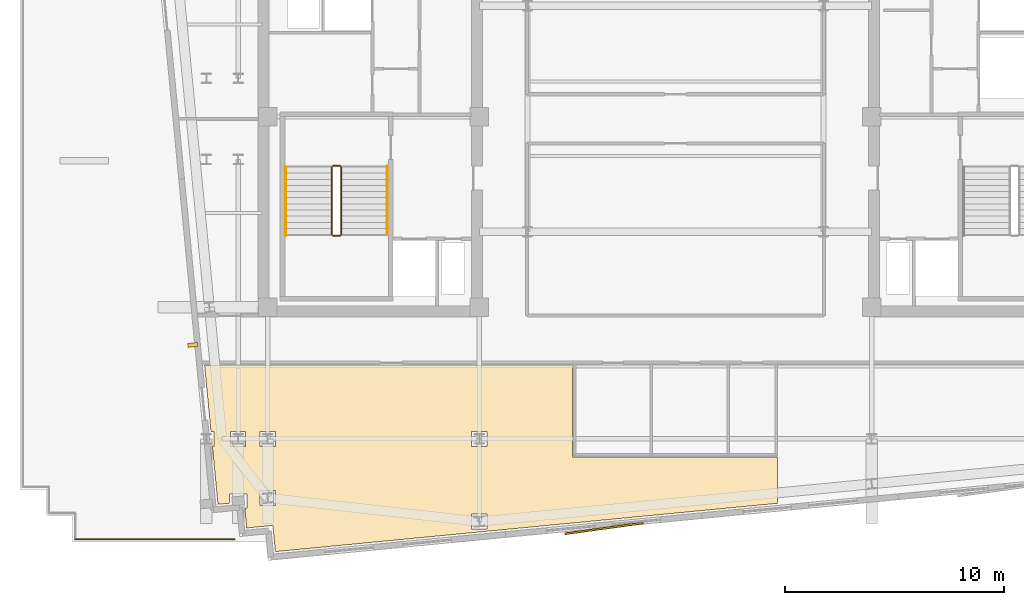
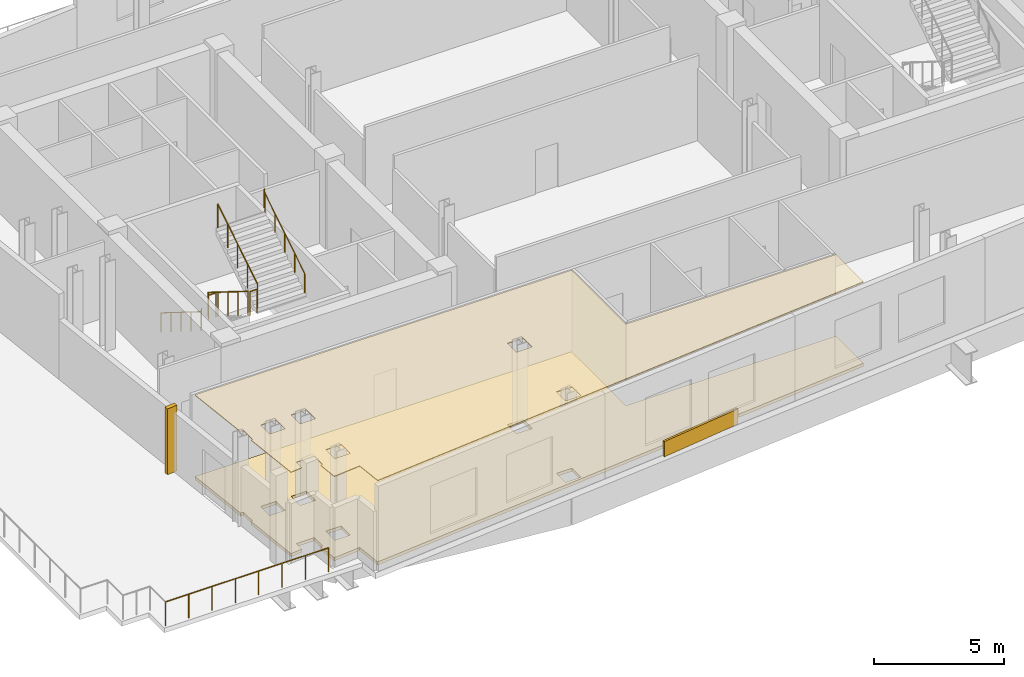
# One storey, part 9 of 11: 7 railings, 3 coverings, 1 shading device.
"""IFC4 building model written with IfcOpenShell, lengths in metres."""

from ifc_helpers import new_model, si_unit, direction, frame, origin, origin_2d, place, context, subcontext, project, spatial, polyline, rectangle, circle, outline, extrude, material, layer, layer_set, type_object, element, save


model = new_model("IFC4")

# Units and contexts
model_context = context("Model", 3, precision=1e-05, world=origin(), true_north=direction((0.0, 1.0)))
body_context = subcontext(model_context, "Body", "Model", "MODEL_VIEW")
ifc_project = project(units=[si_unit("LENGTHUNIT", "METRE"), si_unit("AREAUNIT", "SQUARE_METRE"), si_unit("VOLUMEUNIT", "CUBIC_METRE"), si_unit("PLANEANGLEUNIT", "RADIAN"), si_unit("MASSUNIT", "GRAM", prefix="KILO")], contexts=[model_context])

# Site, building, storey
site_placement = place(None, origin())
site = spatial("IfcSite", under=ifc_project, at=site_placement, CompositionType="ELEMENT")
building_placement = place(site_placement, origin())
building = spatial("IfcBuilding", under=site, at=building_placement, Name="Velakula Bourse", CompositionType="ELEMENT")
storey_placement = place(building_placement, frame((0.0, 0.0, 247.5)))
storey = spatial("IfcBuildingStorey", under=building, at=storey_placement, Name="L67", CompositionType="ELEMENT", Elevation=247.5)

# Coverings
ifc_material_1 = material(Name="Buff kilned clay facing brick masonry", Category="masonry")
ifc_layer_1 = layer(ifc_material_1, 0.074951171875, Name="Buff kilned clay facing brick masonry", Category="masonry")
ifc_layer_set_1 = layer_set([ifc_layer_1], Name="Buff kilned clay facing brick masonry")
covering_type_1 = type_object("IfcCoveringType", Name="COV-BRK-SPN-75", PredefinedType="CLADDING", material=ifc_layer_set_1)
covering_1_placement = place(storey_placement, frame((-3.26220703125, -18.68115234375, 0.0), z_axis=(0.0, 0.0, 1.0), x_axis=(0.990629029058, 0.136580111242, 0.0)))
element("IfcCovering", 1, at=covering_1_placement, inside=storey, type_object=covering_type_1, Name="L67 Folded Brick Facade Cladding Panel S-B2", PredefinedType="CLADDING", context=body_context, shape_type="SweptSolid", body=[
    extrude(rectangle(XDim=3.60009765625, YDim=0.090087890625, at=origin_2d()), origin(), (0.0, 0.0, 1.0), 0.719970703125),
])
ifc_material_2 = material(Name="Mineral-fibre acoustic suspended ceiling tile", Category="mineral")
ifc_layer_2 = layer(ifc_material_2, 0.0400390625, Name="Mineral-fibre acoustic suspended ceiling tile", Category="mineral")
ifc_layer_set_2 = layer_set([ifc_layer_2], Name="Mineral-fibre acoustic suspended ceiling tile")
covering_type_2 = type_object("IfcCoveringType", Name="COV-CEIL-AC-40", PredefinedType="CEILING", material=ifc_layer_set_2)
covering_2_placement = place(storey_placement, frame((0.0, 0.0, 3.949951171875)))
element("IfcCovering", 2, at=covering_2_placement, inside=storey, type_object=covering_type_2, Name="L67 Breakout Dining Lounge Acoustic Suspended Ceiling", PredefinedType="CEILING", context=body_context, shape_type="SweptSolid", body=[
    extrude(outline(polyline([(-21.480224609375, -11.22998046875), (-4.699951171875, -11.22998046875), (-4.699951171875, -15.419921875), (4.659912109375, -15.419921875), (4.659912109375, -17.53662109375), (-18.249267578125, -19.742431640625), (-18.364501953125, -18.548095703125), (-19.558837890625, -18.6630859375), (-19.647216796875, -17.744873046875), (-19.554931640625, -17.744873046875), (-19.554931640625, -17.104736328125), (-20.344970703125, -17.104736328125), (-20.344970703125, -17.533203125), (-20.868408203125, -17.58349609375), (-21.122314453125, -14.945068359375), (-21.054931640625, -14.945068359375), (-21.054931640625, -14.2548828125), (-21.188720703125, -14.2548828125), (-21.480224609375, -11.22998046875)]), holes=[polyline([(-18.945068359375, -17.639892578125), (-18.2548828125, -17.639892578125), (-18.2548828125, -16.94970703125), (-18.945068359375, -16.94970703125), (-18.945068359375, -17.639892578125)]), polyline([(-18.945068359375, -14.945068359375), (-18.2548828125, -14.945068359375), (-18.2548828125, -14.2548828125), (-18.945068359375, -14.2548828125), (-18.945068359375, -14.945068359375)]), polyline([(-20.294921875, -14.945068359375), (-19.60498046875, -14.945068359375), (-19.60498046875, -14.2548828125), (-20.294921875, -14.2548828125), (-20.294921875, -14.945068359375)]), polyline([(-9.294921875, -18.719970703125), (-8.60498046875, -18.719970703125), (-8.60498046875, -18.02978515625), (-9.294921875, -18.02978515625), (-9.294921875, -18.719970703125)]), polyline([(-9.294921875, -14.945068359375), (-8.60498046875, -14.945068359375), (-8.60498046875, -14.2548828125), (-9.294921875, -14.2548828125), (-9.294921875, -14.945068359375)])]), origin(), (0.0, 0.0, 1.0), 0.0400390625),
])
ifc_material_3 = material(Name="Calcium-sulphate antistatic raised access flooring", Category="gypsum")
ifc_layer_3 = layer(ifc_material_3, 0.14990234375, Name="Calcium-sulphate antistatic raised access flooring", Category="gypsum")
ifc_layer_set_3 = layer_set([ifc_layer_3], Name="Calcium-sulphate antistatic raised access flooring")
covering_type_3 = type_object("IfcCoveringType", Name="COV-FLR-RAISED-150", PredefinedType="FLOORING", material=ifc_layer_set_3)
covering_3_placement = place(storey_placement, origin())
element("IfcCovering", 3, at=covering_3_placement, inside=storey, type_object=covering_type_3, Name="L67 Breakout Dining Lounge Raised Trading Access Floor", PredefinedType="FLOORING", context=body_context, shape_type="SweptSolid", body=[
    extrude(outline(polyline([(-21.480224609375, -11.22998046875), (-4.699951171875, -11.22998046875), (-4.699951171875, -15.419921875), (4.659912109375, -15.419921875), (4.659912109375, -17.53662109375), (-18.249267578125, -19.742431640625), (-18.364501953125, -18.548095703125), (-19.558837890625, -18.6630859375), (-19.647216796875, -17.744873046875), (-19.554931640625, -17.744873046875), (-19.554931640625, -17.104736328125), (-20.344970703125, -17.104736328125), (-20.344970703125, -17.533203125), (-20.868408203125, -17.58349609375), (-21.122314453125, -14.945068359375), (-21.054931640625, -14.945068359375), (-21.054931640625, -14.2548828125), (-21.188720703125, -14.2548828125), (-21.480224609375, -11.22998046875)]), holes=[polyline([(-18.945068359375, -17.639892578125), (-18.2548828125, -17.639892578125), (-18.2548828125, -16.94970703125), (-18.945068359375, -16.94970703125), (-18.945068359375, -17.639892578125)]), polyline([(-18.945068359375, -14.945068359375), (-18.2548828125, -14.945068359375), (-18.2548828125, -14.2548828125), (-18.945068359375, -14.2548828125), (-18.945068359375, -14.945068359375)]), polyline([(-20.294921875, -14.945068359375), (-19.60498046875, -14.945068359375), (-19.60498046875, -14.2548828125), (-20.294921875, -14.2548828125), (-20.294921875, -14.945068359375)]), polyline([(-9.294921875, -18.719970703125), (-8.60498046875, -18.719970703125), (-8.60498046875, -18.02978515625), (-9.294921875, -18.02978515625), (-9.294921875, -18.719970703125)]), polyline([(-9.294921875, -14.945068359375), (-8.60498046875, -14.945068359375), (-8.60498046875, -14.2548828125), (-9.294921875, -14.2548828125), (-9.294921875, -14.945068359375)])]), origin(), (0.0, 0.0, 1.0), 0.14990234375),
])

# Railings
ifc_material_4 = material(Name="Brushed grade 316 stainless steel", Category="steel")
railing_type_1 = type_object("IfcRailingType", Name="RLG-STAIR-GUARD-1150", PredefinedType="BALUSTRADE", material=ifc_material_4)
railing_1_placement = place(storey_placement, frame((-15.672119140625, -2.199951171875, 0.175048828125)))
element("IfcRailing", 4, at=railing_1_placement, inside=storey, type_object=railing_type_1, Name="L67 ST-W1 stair guard 1", PredefinedType="BALUSTRADE", context=body_context, shape_type="SweptSolid", body=[
    extrude(circle(Radius=0.02490234375, at=origin_2d()), frame((0.0, 0.0, 1.125), z_axis=(0.0, -0.847998304005, 0.529998940003), x_axis=(1.0, 0.0, 0.0)), (0.0, 0.0, 1.0), 3.632080078125),
    extrude(circle(Radius=0.02099609375, at=origin_2d()), origin(), (0.0, 0.0, 1.0), 1.099853515625),
    extrude(circle(Radius=0.02099609375, at=origin_2d()), frame((0.0, -0.77001953125, 0.481201171875)), (0.0, 0.0, 1.0), 1.099853515625),
    extrude(circle(Radius=0.02099609375, at=origin_2d()), frame((0.0, -1.5400390625, 0.96240234375)), (0.0, 0.0, 1.0), 1.099853515625),
    extrude(circle(Radius=0.02099609375, at=origin_2d()), frame((0.0, -2.31005859375, 1.44384765625)), (0.0, 0.0, 1.0), 1.099853515625),
    extrude(circle(Radius=0.02099609375, at=origin_2d()), frame((0.0, -3.080078125, 1.925048828125)), (0.0, 0.0, 1.0), 1.099853515625),
])
railing_2_placement = place(storey_placement, frame((-15.6220703125, -5.330078125, 2.10009765625)))
element("IfcRailing", 5, at=railing_2_placement, inside=storey, type_object=railing_type_1, Name="L67 ST-W1 stair guard 2", PredefinedType="BALUSTRADE", context=body_context, shape_type="SweptSolid", body=[
    extrude(circle(Radius=0.02490234375, at=origin_2d()), frame((0.0, 0.0, 1.125), z_axis=(1.0, 0.0, 0.0), x_axis=(0.0, 1.0, 0.0)), (0.0, 0.0, 1.0), 0.323974609375),
    extrude(circle(Radius=0.02099609375, at=origin_2d()), origin(), (0.0, 0.0, 1.0), 1.099853515625),
    extrude(circle(Radius=0.02099609375, at=origin_2d()), frame((0.323974609375, 0.0, 0.0)), (0.0, 0.0, 1.0), 1.099853515625),
])
railing_3_placement = place(storey_placement, frame((-15.248046875, -5.280029296875, 2.27490234375)))
element("IfcRailing", 6, at=railing_3_placement, inside=storey, type_object=railing_type_1, Name="L67 ST-W1 stair guard 3", PredefinedType="BALUSTRADE", context=body_context, shape_type="SweptSolid", body=[
    extrude(circle(Radius=0.02490234375, at=origin_2d()), frame((0.0, 0.0, 1.125), z_axis=(0.0, 0.847998304005, 0.529998940003), x_axis=(-1.0, 0.0, 0.0)), (0.0, 0.0, 1.0), 3.632080078125),
    extrude(circle(Radius=0.02099609375, at=origin_2d()), origin(), (0.0, 0.0, 1.0), 1.099853515625),
    extrude(circle(Radius=0.02099609375, at=origin_2d()), frame((0.0, 0.77001953125, 0.481201171875)), (0.0, 0.0, 1.0), 1.099853515625),
    extrude(circle(Radius=0.02099609375, at=origin_2d()), frame((0.0, 1.5400390625, 0.96240234375)), (0.0, 0.0, 1.0), 1.099853515625),
    extrude(circle(Radius=0.02099609375, at=origin_2d()), frame((0.0, 2.31005859375, 1.44384765625)), (0.0, 0.0, 1.0), 1.099853515625),
    extrude(circle(Radius=0.02099609375, at=origin_2d()), frame((0.0, 3.080078125, 1.925048828125)), (0.0, 0.0, 1.0), 1.099853515625),
])
railing_4_placement = place(storey_placement, frame((-15.6220703125, -2.14990234375, 0.0)))
element("IfcRailing", 7, at=railing_4_placement, inside=storey, type_object=railing_type_1, Name="L67 ST-W1 stair guard 4", PredefinedType="BALUSTRADE", context=body_context, shape_type="SweptSolid", body=[
    extrude(circle(Radius=0.02490234375, at=origin_2d()), frame((0.0, 0.0, 1.125), z_axis=(1.0, 0.0, 0.0), x_axis=(0.0, 1.0, 0.0)), (0.0, 0.0, 1.0), 0.323974609375),
    extrude(circle(Radius=0.02099609375, at=origin_2d()), origin(), (0.0, 0.0, 1.0), 1.099853515625),
    extrude(circle(Radius=0.02099609375, at=origin_2d()), frame((0.323974609375, 0.0, 0.0)), (0.0, 0.0, 1.0), 1.099853515625),
])
railing_type_2 = type_object("IfcRailingType", Name="RLG-STAIR-HAND-920", PredefinedType="HANDRAIL", material=ifc_material_4)
railing_5_placement = place(storey_placement, frame((-17.77001953125, -2.199951171875, 0.175048828125)))
element("IfcRailing", 8, at=railing_5_placement, inside=storey, type_object=railing_type_2, Name="L67 ST-W1 stair handrail 1", PredefinedType="HANDRAIL", context=body_context, shape_type="SweptSolid", body=[
    extrude(circle(Radius=0.02099609375, at=origin_2d()), frame((0.0, 0.0, 0.89892578125), z_axis=(0.0, -0.847998304005, 0.529998940003), x_axis=(1.0, 0.0, 0.0)), (0.0, 0.0, 1.0), 3.632080078125),
    extrude(circle(Radius=0.02099609375, at=origin_2d()), frame((0.0, -3.080078125, 2.823974609375), z_axis=(0.0, -0.223268366363, 0.974757014123), x_axis=(1.0, 0.0, 0.0)), (0.0, 0.0, 1.0), 0.179443359375),
    extrude(circle(Radius=0.02099609375, at=origin_2d()), frame((0.0, -3.1201171875, 2.998779296875), z_axis=(0.0, -1.0, 0.0), x_axis=(1.0, 0.0, 0.0)), (0.0, 0.0, 1.0), 0.0048828125),
    extrude(circle(Radius=0.02099609375, at=origin_2d()), origin(), (0.0, 0.0, 1.0), 0.8779296875),
    extrude(circle(Radius=0.02099609375, at=origin_2d()), frame((0.0, -0.77001953125, 0.481201171875)), (0.0, 0.0, 1.0), 0.8779296875),
    extrude(circle(Radius=0.02099609375, at=origin_2d()), frame((0.0, -1.5400390625, 0.96240234375)), (0.0, 0.0, 1.0), 0.8779296875),
    extrude(circle(Radius=0.02099609375, at=origin_2d()), frame((0.0, -2.31005859375, 1.44384765625)), (0.0, 0.0, 1.0), 0.8779296875),
    extrude(circle(Radius=0.02099609375, at=origin_2d()), frame((0.0, -3.080078125, 1.925048828125)), (0.0, 0.0, 1.0), 0.8779296875),
    extrude(circle(Radius=0.02099609375, at=origin_2d()), frame((0.0, -3.1201171875, 2.099853515625)), (0.0, 0.0, 1.0), 0.8779296875),
    extrude(circle(Radius=0.02099609375, at=origin_2d()), frame((0.0, -3.125, 2.099853515625)), (0.0, 0.0, 1.0), 0.8779296875),
])
railing_6_placement = place(storey_placement, frame((-13.14990234375, -5.280029296875, 2.27490234375)))
element("IfcRailing", 9, at=railing_6_placement, inside=storey, type_object=railing_type_2, Name="L67 ST-W1 stair handrail 2", PredefinedType="HANDRAIL", context=body_context, shape_type="SweptSolid", body=[
    extrude(circle(Radius=0.02099609375, at=origin_2d()), frame((0.0, 0.0, 0.89892578125), z_axis=(0.0, 0.847998304005, 0.529998940003), x_axis=(-1.0, 0.0, 0.0)), (0.0, 0.0, 1.0), 3.632080078125),
    extrude(circle(Radius=0.02099609375, at=origin_2d()), frame((0.0, 3.080078125, 2.823974609375), z_axis=(0.0, 0.222972465624, 0.974824743004), x_axis=(-1.0, 0.0, 0.0)), (0.0, 0.0, 1.0), 0.1796875),
    extrude(circle(Radius=0.02099609375, at=origin_2d()), frame((0.0, 3.1201171875, 2.9990234375), z_axis=(0.0, 1.0, 0.0), x_axis=(-1.0, 0.0, 0.0)), (0.0, 0.0, 1.0), 0.0048828125),
    extrude(circle(Radius=0.02099609375, at=origin_2d()), origin(), (0.0, 0.0, 1.0), 0.8779296875),
    extrude(circle(Radius=0.02099609375, at=origin_2d()), frame((0.0, 0.77001953125, 0.481201171875)), (0.0, 0.0, 1.0), 0.8779296875),
    extrude(circle(Radius=0.02099609375, at=origin_2d()), frame((0.0, 1.5400390625, 0.96240234375)), (0.0, 0.0, 1.0), 0.8779296875),
    extrude(circle(Radius=0.02099609375, at=origin_2d()), frame((0.0, 2.31005859375, 1.44384765625)), (0.0, 0.0, 1.0), 0.8779296875),
    extrude(circle(Radius=0.02099609375, at=origin_2d()), frame((0.0, 3.080078125, 1.925048828125)), (0.0, 0.0, 1.0), 0.8779296875),
    extrude(circle(Radius=0.02099609375, at=origin_2d()), frame((0.0, 3.1201171875, 2.10009765625)), (0.0, 0.0, 1.0), 0.8779296875),
    extrude(circle(Radius=0.02099609375, at=origin_2d()), frame((0.0, 3.125, 2.10009765625)), (0.0, 0.0, 1.0), 0.8779296875),
])
ifc_material_5 = material(Name="Anodised bronze architectural aluminium", Category="aluminium")
railing_type_3 = type_object("IfcRailingType", Name="RLG-TERR-1150", PredefinedType="BALUSTRADE", material=ifc_material_5)
railing_7_placement = place(storey_placement, frame((-20.11181640625, -19.179931640625, 0.0)))
element("IfcRailing", 10, at=railing_7_placement, inside=storey, type_object=railing_type_3, Name="L67 Sky-Garden Perimeter Balustrade 2", PredefinedType="BALUSTRADE", context=body_context, shape_type="SweptSolid", body=[
    extrude(circle(Radius=0.02392578125, at=origin_2d()), frame((0.0, 0.0, 1.1259765625), z_axis=(-1.0, 0.0, 0.0), x_axis=(0.0, -1.0, 0.0)), (0.0, 0.0, 1.0), 7.26806640625),
    extrude(circle(Radius=0.02099609375, at=origin_2d()), origin(), (0.0, 0.0, 1.0), 1.101806640625),
    extrude(circle(Radius=0.02099609375, at=origin_2d()), frame((-1.038330078125, 0.0, 0.0)), (0.0, 0.0, 1.0), 1.101806640625),
    extrude(circle(Radius=0.02099609375, at=origin_2d()), frame((-2.07666015625, 0.0, 0.0)), (0.0, 0.0, 1.0), 1.101806640625),
    extrude(circle(Radius=0.02099609375, at=origin_2d()), frame((-3.114990234375, 0.0, 0.0)), (0.0, 0.0, 1.0), 1.101806640625),
    extrude(circle(Radius=0.02099609375, at=origin_2d()), frame((-4.153076171875, 0.0, 0.0)), (0.0, 0.0, 1.0), 1.101806640625),
    extrude(circle(Radius=0.02099609375, at=origin_2d()), frame((-5.19140625, 0.0, 0.0)), (0.0, 0.0, 1.0), 1.101806640625),
    extrude(circle(Radius=0.02099609375, at=origin_2d()), frame((-6.229736328125, 0.0, 0.0)), (0.0, 0.0, 1.0), 1.101806640625),
    extrude(circle(Radius=0.02099609375, at=origin_2d()), frame((-7.26806640625, 0.0, 0.0)), (0.0, 0.0, 1.0), 1.101806640625),
])

# Shading device
shading_device_type = type_object("IfcShadingDeviceType", Name="SHD-FIN-450", PredefinedType="USERDEFINED", material=ifc_material_5)
shading_device_placement = place(storey_placement, frame((-22.020263671875, -10.3154296875, 0.0), z_axis=(0.0, 0.0, 1.0), x_axis=(0.995396198367, 0.09584575252, 0.0)))
element("IfcShadingDevice", 11, at=shading_device_placement, inside=storey, type_object=shading_device_type, Name="L67 Vertical Bronze Solar Shading Fin W", ObjectType="FIN", PredefinedType="USERDEFINED", context=body_context, shape_type="SweptSolid", body=[
    extrude(rectangle(XDim=0.449951171875, YDim=0.179931640625, at=origin_2d()), origin(), (0.0, 0.0, 1.0), 3.10009765625),
])

save(model, "model.ifc")
